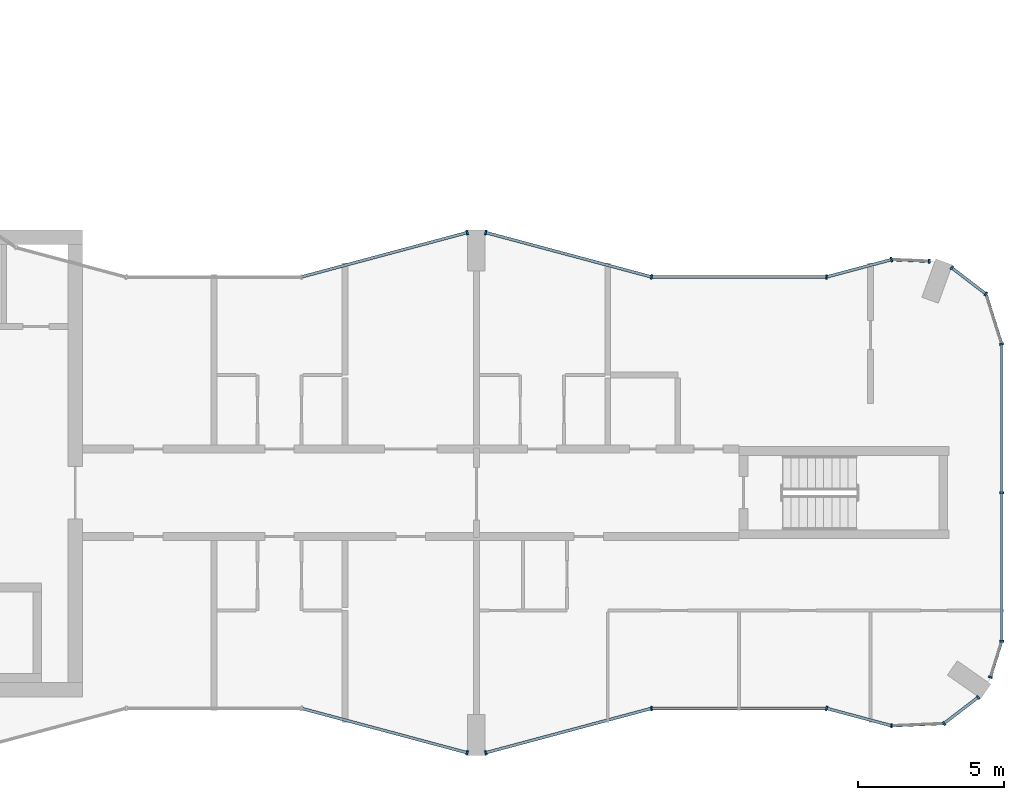
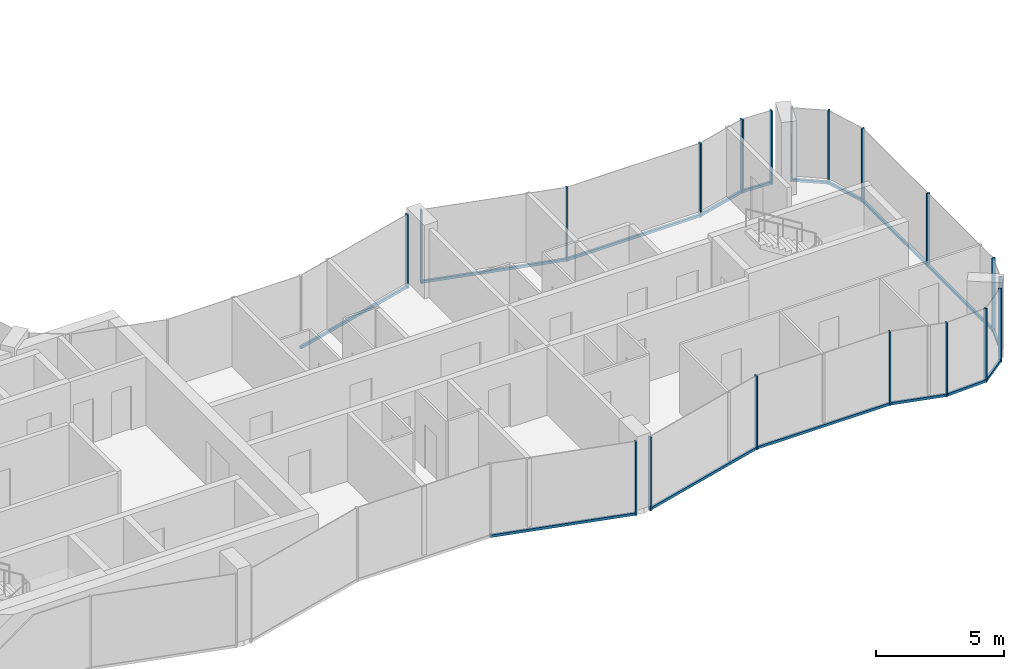
# One storey, part 6 of 17: 34 members, 15 elements without a shape of their own.
"""IFC4 building model written with IfcOpenShell, lengths in metres."""

from ifc_helpers import new_model, si_unit, direction, frame, origin, origin_2d, place, context, subcontext, project, spatial, rectangle, extrude, material, layer, layer_set, material_profile, profile_set, type_object, element, aggregate, save


model = new_model("IFC4")

# Units and contexts
model_context = context("Model", 3, precision=1e-05, world=origin(), true_north=direction((0.0, 1.0)))
body_context = subcontext(model_context, "Body", "Model", "MODEL_VIEW")
ifc_project = project(units=[si_unit("LENGTHUNIT", "METRE"), si_unit("AREAUNIT", "SQUARE_METRE"), si_unit("VOLUMEUNIT", "CUBIC_METRE"), si_unit("PLANEANGLEUNIT", "RADIAN"), si_unit("MASSUNIT", "GRAM", prefix="KILO")], contexts=[model_context])

# Site, building, storey
site_placement = place(None, origin())
site = spatial("IfcSite", under=ifc_project, at=site_placement, CompositionType="ELEMENT")
building_placement = place(site_placement, origin())
building = spatial("IfcBuilding", under=site, at=building_placement, Name="Plateau Cross Towers", CompositionType="ELEMENT")
storey_placement = place(building_placement, frame((0.0, 0.0, 222.39990234375)))
storey = spatial("IfcBuildingStorey", under=building, at=storey_placement, Name="L58", CompositionType="ELEMENT", Elevation=222.39990234375)

# Curtain wall, member
ifc_material_1 = material(Name="Dark low-iron glass", Category="glass")
ifc_layer_1 = layer(ifc_material_1, 0.239990234375)
ifc_layer_set_1 = layer_set([ifc_layer_1], Name="Dark low-iron glass")
curtain_wall_type_1 = type_object("IfcCurtainWallType", Name="Curtain wall flush unitised CW-B", PredefinedType="NOTDEFINED", material=ifc_layer_set_1)
curtain_wall_1_placement = place(storey_placement, origin())
curtain_wall_1 = element("IfcCurtainWall", 1, at=curtain_wall_1_placement, inside=storey, type_object=curtain_wall_type_1, Name="ENV/A/L58/A502_10", PredefinedType="NOTDEFINED")
ifc_material_2 = material(Name="Black anodised aluminium", Category="aluminium")
ifc_material_profile_1 = material_profile(ifc_material_2, rectangle(XDim=0.06005859375, YDim=0.139892578125, at=origin_2d()), Name="MULLION 60x140")
ifc_profile_set_1 = profile_set([ifc_material_profile_1], Name="Black anodised aluminium")
member_type_1 = type_object("IfcMemberType", Name="Mullion 60x140 flush unitised", PredefinedType="MULLION", material=ifc_profile_set_1)
member_1_placement = place(storey_placement, frame((50.223876953125, 1.01123046875, -0.25), z_axis=(0.0, 0.0, 1.0), x_axis=(0.999043701491, 0.043722791671, 0.0)))
member_1 = element("IfcMember", 2, at=member_1_placement, type_object=member_type_1, Name="CW-B mullion 1", PredefinedType="MULLION", context=body_context, shape_type="SweptSolid", body=[
    extrude(rectangle(XDim=0.06005859375, YDim=0.139892578125, at=origin_2d()), origin(), (0.0, 0.0, 1.0), 3.5),
])

# Curtain wall, members
curtain_wall_2_placement = place(storey_placement, origin())
curtain_wall_2 = element("IfcCurtainWall", 3, at=curtain_wall_2_placement, inside=storey, type_object=curtain_wall_type_1, Name="ENV/A/L58/A520_11", PredefinedType="NOTDEFINED")
member_2_placement = place(storey_placement, frame((52.0263671875, 1.090087890625, -0.25), z_axis=(0.0, 0.0, 1.0), x_axis=(0.793315514529, 0.608810721331, 0.0)))
member_2 = element("IfcMember", 4, at=member_2_placement, type_object=member_type_1, Name="CW-B mullion 1", PredefinedType="MULLION", context=body_context, shape_type="SweptSolid", body=[
    extrude(rectangle(XDim=0.06005859375, YDim=0.139892578125, at=origin_2d()), origin(), (0.0, 0.0, 1.0), 3.5),
])
member_3_placement = place(storey_placement, frame((53.193603515625, 1.986083984375, -0.25), z_axis=(0.0, 0.0, 1.0), x_axis=(0.793315514529, 0.608810721331, 0.0)))
member_3 = element("IfcMember", 5, at=member_3_placement, type_object=member_type_1, Name="CW-B mullion 2", PredefinedType="MULLION", context=body_context, shape_type="SweptSolid", body=[
    extrude(rectangle(XDim=0.06005859375, YDim=0.139892578125, at=origin_2d()), origin(), (0.0, 0.0, 1.0), 3.5),
])

# Curtain wall, member
curtain_wall_3_placement = place(storey_placement, origin())
curtain_wall_3 = element("IfcCurtainWall", 6, at=curtain_wall_3_placement, inside=storey, type_object=curtain_wall_type_1, Name="ENV/A/L58/A536_27", PredefinedType="NOTDEFINED")
member_4_placement = place(storey_placement, frame((53.611083984375, 2.67529296875, -0.25), z_axis=(0.0, 0.0, 1.0), x_axis=(0.300686174994, 0.95372313811, 0.0)))
member_4 = element("IfcMember", 7, at=member_4_placement, type_object=member_type_1, Name="CW-B mullion 1", PredefinedType="MULLION", context=body_context, shape_type="SweptSolid", body=[
    extrude(rectangle(XDim=0.06005859375, YDim=0.139892578125, at=origin_2d()), origin(), (0.0, 0.0, 1.0), 3.5),
])

# Curtain wall, members
curtain_wall_4_placement = place(storey_placement, origin())
curtain_wall_4 = element("IfcCurtainWall", 8, at=curtain_wall_4_placement, inside=storey, type_object=curtain_wall_type_1, Name="ENV/A/L58/A540_39", PredefinedType="NOTDEFINED")
member_5_placement = place(storey_placement, frame((54.0, 3.9091796875, -0.25), z_axis=(0.0, 0.0, 1.0), x_axis=(0.0, 1.0, 0.0)))
member_5 = element("IfcMember", 9, at=member_5_placement, type_object=member_type_1, Name="CW-B mullion 1", PredefinedType="MULLION", context=body_context, shape_type="SweptSolid", body=[
    extrude(rectangle(XDim=0.06005859375, YDim=0.139892578125, at=origin_2d()), origin(), (0.0, 0.0, 1.0), 3.5),
])
member_6_placement = place(storey_placement, frame((54.0, 9.0, -0.25), z_axis=(0.0, 0.0, 1.0), x_axis=(0.0, 1.0, 0.0)))
member_6 = element("IfcMember", 10, at=member_6_placement, type_object=member_type_1, Name="CW-B mullion 2", PredefinedType="MULLION", context=body_context, shape_type="SweptSolid", body=[
    extrude(rectangle(XDim=0.06005859375, YDim=0.139892578125, at=origin_2d()), origin(), (0.0, 0.0, 1.0), 3.5),
])

# Curtain wall, member
curtain_wall_5_placement = place(storey_placement, origin())
curtain_wall_5 = element("IfcCurtainWall", 11, at=curtain_wall_5_placement, inside=storey, type_object=curtain_wall_type_1, Name="ENV/A/L58/A540_141", PredefinedType="NOTDEFINED")
member_7_placement = place(storey_placement, frame((54.0, 14.0908203125, -0.25), z_axis=(0.0, 0.0, 1.0), x_axis=(-0.300686174994, 0.95372313811, 0.0)))
member_7 = element("IfcMember", 12, at=member_7_placement, type_object=member_type_1, Name="CW-B mullion 1", PredefinedType="MULLION", context=body_context, shape_type="SweptSolid", body=[
    extrude(rectangle(XDim=0.06005859375, YDim=0.139892578125, at=origin_2d()), origin(), (0.0, 0.0, 1.0), 3.5),
])

# Curtain wall, members
curtain_wall_6_placement = place(storey_placement, origin())
curtain_wall_6 = element("IfcCurtainWall", 13, at=curtain_wall_6_placement, inside=storey, type_object=curtain_wall_type_1, Name="ENV/A/L58/A535_158", PredefinedType="NOTDEFINED")
member_8_placement = place(storey_placement, frame((53.45751953125, 15.8115234375, -0.25), z_axis=(0.0, 0.0, 1.0), x_axis=(-0.793315514529, 0.608810721331, 0.0)))
member_8 = element("IfcMember", 14, at=member_8_placement, type_object=member_type_1, Name="CW-B mullion 1", PredefinedType="MULLION", context=body_context, shape_type="SweptSolid", body=[
    extrude(rectangle(XDim=0.06005859375, YDim=0.139892578125, at=origin_2d()), origin(), (0.0, 0.0, 1.0), 3.5),
])
member_9_placement = place(storey_placement, frame((52.290283203125, 16.707275390625, -0.25), z_axis=(0.0, 0.0, 1.0), x_axis=(-0.793315514529, 0.608810721331, 0.0)))
member_9 = element("IfcMember", 15, at=member_9_placement, type_object=member_type_1, Name="CW-B mullion 2", PredefinedType="MULLION", context=body_context, shape_type="SweptSolid", body=[
    extrude(rectangle(XDim=0.06005859375, YDim=0.139892578125, at=origin_2d()), origin(), (0.0, 0.0, 1.0), 3.5),
])

# Curtain wall, member
curtain_wall_7_placement = place(storey_placement, origin())
curtain_wall_7 = element("IfcCurtainWall", 16, at=curtain_wall_7_placement, inside=storey, type_object=curtain_wall_type_1, Name="ENV/A/L58/A515_169", PredefinedType="NOTDEFINED")
member_10_placement = place(storey_placement, frame((51.516357421875, 16.93212890625, -0.25), z_axis=(0.0, 0.0, 1.0), x_axis=(-0.999043701491, 0.043722791671, 0.0)))
member_10 = element("IfcMember", 17, at=member_10_placement, type_object=member_type_1, Name="CW-B mullion 1", PredefinedType="MULLION", context=body_context, shape_type="SweptSolid", body=[
    extrude(rectangle(XDim=0.06005859375, YDim=0.139892578125, at=origin_2d()), origin(), (0.0, 0.0, 1.0), 3.5),
])

ifc_layer_2 = layer(ifc_material_1, 0.260009765625)
ifc_layer_set_2 = layer_set([ifc_layer_2], Name="Dark low-iron glass")
curtain_wall_type_2 = type_object("IfcCurtainWallType", Name="Curtain wall fluted unitised CW-A", PredefinedType="NOTDEFINED", material=ifc_layer_set_2)
curtain_wall_8_placement = place(storey_placement, origin())
curtain_wall_8 = element("IfcCurtainWall", 18, at=curtain_wall_8_placement, inside=storey, type_object=curtain_wall_type_2, Name="ENV/A/L58/A300_16", PredefinedType="NOTDEFINED")
ifc_material_profile_2 = material_profile(ifc_material_2, rectangle(XDim=0.06005859375, YDim=0.159912109375, at=origin_2d()), Name="MULLION 60x160")
ifc_profile_set_2 = profile_set([ifc_material_profile_2], Name="Black anodised aluminium")
member_type_2 = type_object("IfcMemberType", Name="Mullion 60x160 fluted unitised", PredefinedType="MULLION", material=ifc_profile_set_2)
member_11_placement = place(storey_placement, frame((35.68212890625, 0.085205078125, -0.25), z_axis=(0.0, 0.0, 1.0), x_axis=(0.965957983404, -0.258699003279, 0.0)))
member_11 = element("IfcMember", 19, at=member_11_placement, type_object=member_type_2, Name="CW-A mullion 2", PredefinedType="MULLION", context=body_context, shape_type="SweptSolid", body=[
    extrude(rectangle(XDim=0.06005859375, YDim=0.159912109375, at=origin_2d()), origin(), (0.0, 0.0, 1.0), 3.5),
])

curtain_wall_9_placement = place(storey_placement, origin())
curtain_wall_9 = element("IfcCurtainWall", 20, at=curtain_wall_9_placement, inside=storey, type_object=curtain_wall_type_2, Name="ENV/A/L58/A363_1", PredefinedType="NOTDEFINED")
member_12_placement = place(storey_placement, frame((36.31787109375, 0.085205078125, -0.25), z_axis=(0.0, 0.0, 1.0), x_axis=(0.965957983404, 0.258699003279, 0.0)))
member_12 = element("IfcMember", 21, at=member_12_placement, type_object=member_type_2, Name="CW-A mullion 1", PredefinedType="MULLION", context=body_context, shape_type="SweptSolid", body=[
    extrude(rectangle(XDim=0.06005859375, YDim=0.159912109375, at=origin_2d()), origin(), (0.0, 0.0, 1.0), 3.5),
])

curtain_wall_10_placement = place(storey_placement, origin())
curtain_wall_10 = element("IfcCurtainWall", 22, at=curtain_wall_10_placement, inside=storey, type_object=curtain_wall_type_2, Name="ENV/A/L58/A420_16", PredefinedType="NOTDEFINED")
member_13_placement = place(storey_placement, frame((42.0, 1.60693359375, -0.25), z_axis=(0.0, 0.0, 1.0), x_axis=(1.0, 0.0, 0.0)))
member_13 = element("IfcMember", 23, at=member_13_placement, type_object=member_type_2, Name="CW-A mullion 1", PredefinedType="MULLION", context=body_context, shape_type="SweptSolid", body=[
    extrude(rectangle(XDim=0.06005859375, YDim=0.159912109375, at=origin_2d()), origin(), (0.0, 0.0, 1.0), 3.5),
])

curtain_wall_11_placement = place(storey_placement, origin())
curtain_wall_11 = element("IfcCurtainWall", 24, at=curtain_wall_11_placement, inside=storey, type_object=curtain_wall_type_2, Name="ENV/A/L58/A480_16", PredefinedType="NOTDEFINED")
member_14_placement = place(storey_placement, frame((48.0, 1.60693359375, -0.25), z_axis=(0.0, 0.0, 1.0), x_axis=(0.965957962328, -0.258699081978, 0.0)))
member_14 = element("IfcMember", 25, at=member_14_placement, type_object=member_type_2, Name="CW-A mullion 1", PredefinedType="MULLION", context=body_context, shape_type="SweptSolid", body=[
    extrude(rectangle(XDim=0.06005859375, YDim=0.159912109375, at=origin_2d()), origin(), (0.0, 0.0, 1.0), 3.5),
])

curtain_wall_12_placement = place(storey_placement, origin())
curtain_wall_12 = element("IfcCurtainWall", 26, at=curtain_wall_12_placement, inside=storey, type_object=curtain_wall_type_2, Name="ENV/A/L58/A502_170", PredefinedType="NOTDEFINED")
member_15_placement = place(storey_placement, frame((50.223876953125, 16.98876953125, -0.25), z_axis=(0.0, 0.0, 1.0), x_axis=(-0.965957962328, -0.258699081978, 0.0)))
member_15 = element("IfcMember", 27, at=member_15_placement, type_object=member_type_2, Name="CW-A mullion 1", PredefinedType="MULLION", context=body_context, shape_type="SweptSolid", body=[
    extrude(rectangle(XDim=0.06005859375, YDim=0.159912109375, at=origin_2d()), origin(), (0.0, 0.0, 1.0), 3.5),
])

curtain_wall_13_placement = place(storey_placement, origin())
curtain_wall_13 = element("IfcCurtainWall", 28, at=curtain_wall_13_placement, inside=storey, type_object=curtain_wall_type_2, Name="ENV/A/L58/A480_164", PredefinedType="NOTDEFINED")
member_16_placement = place(storey_placement, frame((48.0, 16.39306640625, -0.25), z_axis=(0.0, 0.0, 1.0), x_axis=(-1.0, 0.0, 0.0)))
member_16 = element("IfcMember", 29, at=member_16_placement, type_object=member_type_2, Name="CW-A mullion 1", PredefinedType="MULLION", context=body_context, shape_type="SweptSolid", body=[
    extrude(rectangle(XDim=0.06005859375, YDim=0.159912109375, at=origin_2d()), origin(), (0.0, 0.0, 1.0), 3.5),
])

# Curtain wall, members
curtain_wall_14_placement = place(storey_placement, origin())
curtain_wall_14 = element("IfcCurtainWall", 30, at=curtain_wall_14_placement, inside=storey, type_object=curtain_wall_type_2, Name="ENV/A/L58/A420_164", PredefinedType="NOTDEFINED")
member_17_placement = place(storey_placement, frame((42.0, 16.39306640625, -0.25), z_axis=(0.0, 0.0, 1.0), x_axis=(-0.965957983404, 0.258699003279, 0.0)))
member_17 = element("IfcMember", 31, at=member_17_placement, type_object=member_type_2, Name="CW-A mullion 1", PredefinedType="MULLION", context=body_context, shape_type="SweptSolid", body=[
    extrude(rectangle(XDim=0.06005859375, YDim=0.159912109375, at=origin_2d()), origin(), (0.0, 0.0, 1.0), 3.5),
])
member_18_placement = place(storey_placement, frame((36.31787109375, 17.914794921875, -0.25), z_axis=(0.0, 0.0, 1.0), x_axis=(-0.965957983404, 0.258699003279, 0.0)))
member_18 = element("IfcMember", 32, at=member_18_placement, type_object=member_type_2, Name="CW-A mullion 2", PredefinedType="MULLION", context=body_context, shape_type="SweptSolid", body=[
    extrude(rectangle(XDim=0.06005859375, YDim=0.159912109375, at=origin_2d()), origin(), (0.0, 0.0, 1.0), 3.5),
])

# Curtain wall, member
curtain_wall_15_placement = place(storey_placement, origin())
curtain_wall_15 = element("IfcCurtainWall", 33, at=curtain_wall_15_placement, inside=storey, type_object=curtain_wall_type_2, Name="ENV/A/L58/A357_179", PredefinedType="NOTDEFINED")
member_19_placement = place(storey_placement, frame((35.68212890625, 17.914794921875, -0.25), z_axis=(0.0, 0.0, 1.0), x_axis=(-0.965957983404, -0.258699003279, 0.0)))
member_19 = element("IfcMember", 34, at=member_19_placement, type_object=member_type_2, Name="CW-A mullion 1", PredefinedType="MULLION", context=body_context, shape_type="SweptSolid", body=[
    extrude(rectangle(XDim=0.06005859375, YDim=0.159912109375, at=origin_2d()), origin(), (0.0, 0.0, 1.0), 3.5),
])

# Member
ifc_material_profile_3 = material_profile(ifc_material_2, rectangle(XDim=0.10009765625, YDim=0.1201171875, at=origin_2d()), Name="TRANSOM 100x120")
ifc_profile_set_3 = profile_set([ifc_material_profile_3], Name="Black anodised aluminium")
member_type_3 = type_object("IfcMemberType", Name="Transom 100x120 flush unitised", PredefinedType="USERDEFINED", material=ifc_profile_set_3)
member_20_placement = place(storey_placement, frame((50.223876953125, 1.01123046875, -0.18994140625), z_axis=(0.999044377355, 0.043707345779, 0.0), x_axis=(-0.043707345779, 0.999044377355, 0.0)))
member_20 = element("IfcMember", 35, at=member_20_placement, type_object=member_type_3, Name="CW-B transom", ObjectType="TRANSOM", PredefinedType="USERDEFINED", context=body_context, shape_type="SweptSolid", body=[
    extrude(rectangle(XDim=0.10009765625, YDim=0.1201171875, at=origin_2d()), origin(), (0.0, 0.0, 1.0), 1.80419921875),
])

aggregate(curtain_wall_1, [member_1, member_20])

member_21_placement = place(storey_placement, frame((52.0263671875, 1.090087890625, -0.18994140625), z_axis=(0.793240368515, 0.608908628415, 0.0), x_axis=(-0.608908628415, 0.793240368515, 0.0)))
member_21 = element("IfcMember", 36, at=member_21_placement, type_object=member_type_3, Name="CW-B transom", ObjectType="TRANSOM", PredefinedType="USERDEFINED", context=body_context, shape_type="SweptSolid", body=[
    extrude(rectangle(XDim=0.10009765625, YDim=0.1201171875, at=origin_2d()), origin(), (0.0, 0.0, 1.0), 1.471435546875),
])

aggregate(curtain_wall_2, [member_2, member_3, member_21])

member_22_placement = place(storey_placement, frame((53.611083984375, 2.67529296875, -0.18994140625), z_axis=(0.300616528216, 0.953745093284, 0.0), x_axis=(-0.953745093284, 0.300616528216, 0.0)))
member_22 = element("IfcMember", 37, at=member_22_placement, type_object=member_type_3, Name="CW-B transom", ObjectType="TRANSOM", PredefinedType="USERDEFINED", context=body_context, shape_type="SweptSolid", body=[
    extrude(rectangle(XDim=0.10009765625, YDim=0.1201171875, at=origin_2d()), origin(), (0.0, 0.0, 1.0), 1.293701171875),
])

aggregate(curtain_wall_3, [member_4, member_22])

member_23_placement = place(storey_placement, frame((54.0, 3.9091796875, -0.18994140625), z_axis=(0.0, 1.0, 0.0), x_axis=(-1.0, 0.0, 0.0)))
member_23 = element("IfcMember", 38, at=member_23_placement, type_object=member_type_3, Name="CW-B transom", ObjectType="TRANSOM", PredefinedType="USERDEFINED", context=body_context, shape_type="SweptSolid", body=[
    extrude(rectangle(XDim=0.10009765625, YDim=0.1201171875, at=origin_2d()), origin(), (0.0, 0.0, 1.0), 10.181640625),
])

aggregate(curtain_wall_4, [member_5, member_6, member_23])

member_24_placement = place(storey_placement, frame((54.0, 14.0908203125, -0.18994140625), z_axis=(-0.30067799945, 0.953725715626, 0.0), x_axis=(-0.953725715626, -0.30067799945, 0.0)))
member_24 = element("IfcMember", 39, at=member_24_placement, type_object=member_type_3, Name="CW-B transom", ObjectType="TRANSOM", PredefinedType="USERDEFINED", context=body_context, shape_type="SweptSolid", body=[
    extrude(rectangle(XDim=0.10009765625, YDim=0.1201171875, at=origin_2d()), origin(), (0.0, 0.0, 1.0), 1.80419921875),
])

aggregate(curtain_wall_5, [member_7, member_24])

member_25_placement = place(storey_placement, frame((53.45751953125, 15.8115234375, -0.18994140625), z_axis=(-0.793320508571, 0.608804213751, 0.0), x_axis=(-0.608804213751, -0.793320508571, 0.0)))
member_25 = element("IfcMember", 40, at=member_25_placement, type_object=member_type_3, Name="CW-B transom", ObjectType="TRANSOM", PredefinedType="USERDEFINED", context=body_context, shape_type="SweptSolid", body=[
    extrude(rectangle(XDim=0.10009765625, YDim=0.1201171875, at=origin_2d()), origin(), (0.0, 0.0, 1.0), 1.471435546875),
])

aggregate(curtain_wall_6, [member_8, member_9, member_25])

member_26_placement = place(storey_placement, frame((51.516357421875, 16.93212890625, -0.18994140625), z_axis=(-0.999041144614, 0.043781175963, 0.0), x_axis=(-0.043781175963, -0.999041144614, 0.0)))
member_26 = element("IfcMember", 41, at=member_26_placement, type_object=member_type_3, Name="CW-B transom", ObjectType="TRANSOM", PredefinedType="USERDEFINED", context=body_context, shape_type="SweptSolid", body=[
    extrude(rectangle(XDim=0.10009765625, YDim=0.1201171875, at=origin_2d()), origin(), (0.0, 0.0, 1.0), 1.293701171875),
])

aggregate(curtain_wall_7, [member_10, member_26])

ifc_material_profile_4 = material_profile(ifc_material_2, rectangle(XDim=0.10009765625, YDim=0.1201171875, at=origin_2d()), Name="TRANSOM 100x120")
ifc_profile_set_4 = profile_set([ifc_material_profile_4], Name="Black anodised aluminium")
member_type_4 = type_object("IfcMemberType", Name="Transom 100x120 fluted unitised", PredefinedType="USERDEFINED", material=ifc_profile_set_4)
member_27_placement = place(storey_placement, frame((30.0, 1.60693359375, -0.18994140625), z_axis=(0.965959534794, -0.258693210465, 0.0), x_axis=(0.258693210465, 0.965959534794, 0.0)))
member_27 = element("IfcMember", 42, at=member_27_placement, type_object=member_type_4, Name="CW-A transom", ObjectType="TRANSOM", PredefinedType="USERDEFINED", context=body_context, shape_type="SweptSolid", body=[
    extrude(rectangle(XDim=0.10009765625, YDim=0.1201171875, at=origin_2d()), origin(), (0.0, 0.0, 1.0), 5.88232421875),
])

aggregate(curtain_wall_8, [member_11, member_27])

member_28_placement = place(storey_placement, frame((36.31787109375, 0.085205078125, -0.18994140625), z_axis=(0.965959534794, 0.258693210465, 0.0), x_axis=(-0.258693210465, 0.965959534794, 0.0)))
member_28 = element("IfcMember", 43, at=member_28_placement, type_object=member_type_4, Name="CW-A transom", ObjectType="TRANSOM", PredefinedType="USERDEFINED", context=body_context, shape_type="SweptSolid", body=[
    extrude(rectangle(XDim=0.10009765625, YDim=0.1201171875, at=origin_2d()), origin(), (0.0, 0.0, 1.0), 5.88232421875),
])

aggregate(curtain_wall_9, [member_12, member_28])

member_29_placement = place(storey_placement, frame((42.0, 1.60693359375, -0.18994140625), z_axis=(1.0, 0.0, 0.0), x_axis=(0.0, 1.0, 0.0)))
member_29 = element("IfcMember", 44, at=member_29_placement, type_object=member_type_4, Name="CW-A transom", ObjectType="TRANSOM", PredefinedType="USERDEFINED", context=body_context, shape_type="SweptSolid", body=[
    extrude(rectangle(XDim=0.10009765625, YDim=0.1201171875, at=origin_2d()), origin(), (0.0, 0.0, 1.0), 6.0),
])

aggregate(curtain_wall_10, [member_13, member_29])

member_30_placement = place(storey_placement, frame((48.0, 1.60693359375, -0.18994140625), z_axis=(0.965945685136, -0.258744919501, 0.0), x_axis=(0.258744919501, 0.965945685136, 0.0)))
member_30 = element("IfcMember", 45, at=member_30_placement, type_object=member_type_4, Name="CW-A transom", ObjectType="TRANSOM", PredefinedType="USERDEFINED", context=body_context, shape_type="SweptSolid", body=[
    extrude(rectangle(XDim=0.10009765625, YDim=0.1201171875, at=origin_2d()), origin(), (0.0, 0.0, 1.0), 2.30224609375),
])

aggregate(curtain_wall_11, [member_14, member_30])

member_31_placement = place(storey_placement, frame((50.223876953125, 16.98876953125, -0.18994140625), z_axis=(-0.965945685136, -0.258744919501, 0.0), x_axis=(0.258744919501, -0.965945685136, 0.0)))
member_31 = element("IfcMember", 46, at=member_31_placement, type_object=member_type_4, Name="CW-A transom", ObjectType="TRANSOM", PredefinedType="USERDEFINED", context=body_context, shape_type="SweptSolid", body=[
    extrude(rectangle(XDim=0.10009765625, YDim=0.1201171875, at=origin_2d()), origin(), (0.0, 0.0, 1.0), 2.30224609375),
])

aggregate(curtain_wall_12, [member_15, member_31])

member_32_placement = place(storey_placement, frame((48.0, 16.39306640625, -0.18994140625), z_axis=(-1.0, 0.0, 0.0), x_axis=(0.0, -1.0, 0.0)))
member_32 = element("IfcMember", 47, at=member_32_placement, type_object=member_type_4, Name="CW-A transom", ObjectType="TRANSOM", PredefinedType="USERDEFINED", context=body_context, shape_type="SweptSolid", body=[
    extrude(rectangle(XDim=0.10009765625, YDim=0.1201171875, at=origin_2d()), origin(), (0.0, 0.0, 1.0), 6.0),
])

aggregate(curtain_wall_13, [member_16, member_32])

member_33_placement = place(storey_placement, frame((42.0, 16.39306640625, -0.18994140625), z_axis=(-0.965959534794, 0.258693210465, 0.0), x_axis=(-0.258693210465, -0.965959534794, 0.0)))
member_33 = element("IfcMember", 48, at=member_33_placement, type_object=member_type_4, Name="CW-A transom", ObjectType="TRANSOM", PredefinedType="USERDEFINED", context=body_context, shape_type="SweptSolid", body=[
    extrude(rectangle(XDim=0.10009765625, YDim=0.1201171875, at=origin_2d()), origin(), (0.0, 0.0, 1.0), 5.88232421875),
])

aggregate(curtain_wall_14, [member_17, member_18, member_33])

member_34_placement = place(storey_placement, frame((35.68212890625, 17.914794921875, -0.18994140625), z_axis=(-0.965959534794, -0.258693210465, 0.0), x_axis=(0.258693210465, -0.965959534794, 0.0)))
member_34 = element("IfcMember", 49, at=member_34_placement, type_object=member_type_4, Name="CW-A transom", ObjectType="TRANSOM", PredefinedType="USERDEFINED", context=body_context, shape_type="SweptSolid", body=[
    extrude(rectangle(XDim=0.10009765625, YDim=0.1201171875, at=origin_2d()), origin(), (0.0, 0.0, 1.0), 5.88232421875),
])

aggregate(curtain_wall_15, [member_19, member_34])

save(model, "model.ifc")
